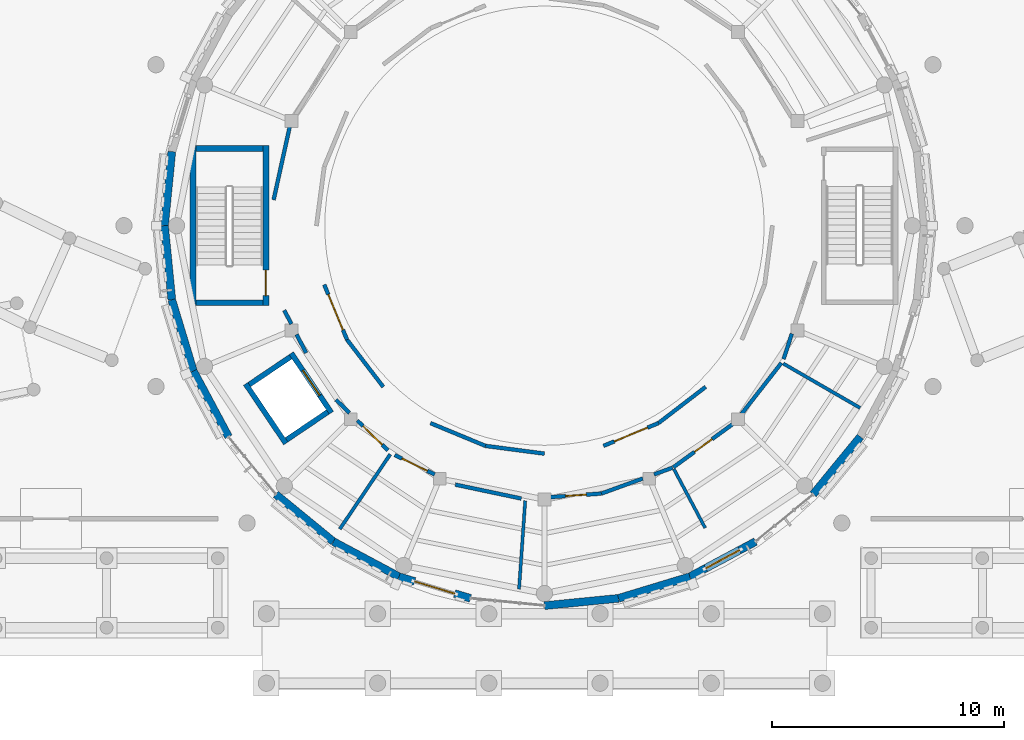
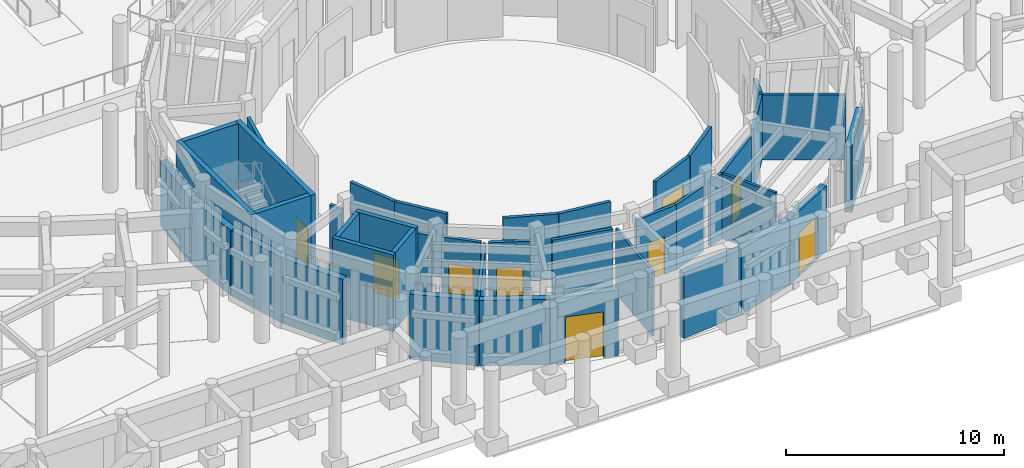
# One storey, part 48 of 94: 42 walls, 10 doors, 10 openings.
"""IFC4 building model written with IfcOpenShell, lengths in metres."""

from ifc_helpers import new_model, si_unit, direction, frame, frame_2d, origin, place, context, subcontext, project, spatial, rectangle, extrude, material, layer, layer_set, type_object, element, fill, save


model = new_model("IFC4")

# Units and contexts
model_context = context("Model", 3, precision=1e-05, world=origin(), true_north=direction((0.0, 1.0)))
body_context = subcontext(model_context, "Body", "Model", "MODEL_VIEW")
ifc_project = project(units=[si_unit("LENGTHUNIT", "METRE"), si_unit("AREAUNIT", "SQUARE_METRE"), si_unit("VOLUMEUNIT", "CUBIC_METRE"), si_unit("PLANEANGLEUNIT", "RADIAN"), si_unit("MASSUNIT", "GRAM", prefix="KILO")], contexts=[model_context])

# Site, building, storey
site_placement = place(None, origin())
site = spatial("IfcSite", under=ifc_project, at=site_placement, CompositionType="ELEMENT")
building_placement = place(site_placement, origin())
building = spatial("IfcBuilding", under=site, at=building_placement, Name="Aldenvaro Health Centre", CompositionType="ELEMENT")
storey_placement = place(building_placement, origin())
storey = spatial("IfcBuildingStorey", under=building, at=storey_placement, Name="L00", CompositionType="ELEMENT", Elevation=0.0)

# Walls
ifc_material_1 = material(Name="Gypsum Stud Acoustic Assembly")
ifc_layer_1 = layer(ifc_material_1, 0.14501953125, Name="Gypsum Stud Acoustic Assembly")
ifc_layer_set_1 = layer_set([ifc_layer_1], Name="Gypsum Stud Acoustic Assembly")
wall_type_1 = type_object("IfcWallType", Name="WL-CLN-145", PredefinedType="PARTITIONING", material=ifc_layer_set_1)
wall_1_placement = place(storey_placement, frame((80.343994140625, 10.132080078125, 0.0), z_axis=(0.0, 0.0, 1.0), x_axis=(-0.559255053263, -0.828995648601, 0.0)))
element("IfcWall", 1, at=wall_1_placement, inside=storey, type_object=wall_type_1, Name="D1 L00 clinical partition 6.1", PredefinedType="PARTITIONING", context=body_context, shape_type="SweptSolid", body=[
    extrude(rectangle(XDim=3.88916015625, YDim=0.14501953125, at=frame_2d((1.944580078125, 0.0))), origin(), (0.0, 0.0, 1.0), 3.634033203125),
])
wall_2_placement = place(storey_placement, frame((97.30810546875, 14.048095703125, 0.0), z_axis=(0.0, 0.0, 1.0), x_axis=(0.866068787954, -0.499924848885, 0.0)))
element("IfcWall", 2, at=wall_2_placement, inside=storey, type_object=wall_type_1, Name="D1 L00 clinical partition 9.1", PredefinedType="PARTITIONING", context=body_context, shape_type="SweptSolid", body=[
    extrude(rectangle(XDim=3.82861328125, YDim=0.14501953125, at=frame_2d((1.914306640625, 0.0))), origin(), (0.0, 0.0, 1.0), 3.634033203125),
])

# Wall, opening, door
ifc_layer_2 = layer(ifc_material_1, 0.1650390625, Name="Gypsum Stud Acoustic Assembly")
ifc_layer_set_2 = layer_set([ifc_layer_2], Name="Gypsum Stud Acoustic Assembly")
wall_type_2 = type_object("IfcWallType", Name="WL-COR-165", PredefinedType="PARTITIONING", material=ifc_layer_set_2)
wall_3_placement = place(storey_placement, frame((77.4951171875, 17.452880859375, 0.0), z_axis=(0.0, 0.0, 1.0), x_axis=(0.382704397106, -0.923870848353, 0.0)))
wall_3 = element("IfcWall", 3, at=wall_3_placement, inside=storey, type_object=wall_type_2, Name="Waiting Hall Ring Wall 14", PredefinedType="PARTITIONING", context=body_context, shape_type="SweptSolid", body=[
    extrude(rectangle(XDim=2.568359375, YDim=0.1650390625, at=frame_2d((1.2841796875, 0.0))), origin(), (0.0, 0.0, 1.0), 3.634033203125),
])
opening_1_placement = place(wall_3_placement, frame((0.458984375, 0.0, 0.0)))
opening_1 = element("IfcOpeningElement", 4, at=opening_1_placement, cuts=wall_3, Name="Opening RD-01", PredefinedType="OPENING", context=body_context, shape_type="SweptSolid", body=[
    extrude(rectangle(XDim=1.64990234375, YDim=2.39990234375, at=frame_2d((0.824951171875, 1.199951171875))), frame((0.0, 0.092529296875, 0.0), z_axis=(0.0, -1.0, 0.0), x_axis=(1.0, 0.0, 0.0)), (0.0, 0.0, 1.0), 0.18505859375),
])
ifc_material_2 = material(Name="Glazed Rotunda Concourse Portal")
door_type_1 = type_object("IfcDoorType", Name="DR-ROT-165", OperationType="NOTDEFINED", PredefinedType="DOOR", material=ifc_material_2)
door_1_placement = place(opening_1_placement, origin())
door_1 = element("IfcDoor", 5, at=door_1_placement, inside=storey, type_object=door_type_1, Name="Main Waiting Hall Concourse Door 14", OperationType="SINGLE_SWING_RIGHT", OverallHeight=2.39990234375, OverallWidth=1.64990234375, PredefinedType="DOOR", context=body_context, shape_type="SweptSolid", body=[
    extrude(rectangle(XDim=1.64990234375, YDim=2.39990234375, at=frame_2d((0.824951171875, 1.199951171875))), frame((0.0, 0.02490234375, 0.0), z_axis=(0.0, -1.0, 0.0), x_axis=(1.0, 0.0, 0.0)), (0.0, 0.0, 1.0), 0.050048828125),
])
fill(opening_1, door_1)

# Walls
wall_4_placement = place(storey_placement, frame((78.47802734375, 15.080078125, 0.0), z_axis=(0.0, 0.0, 1.0), x_axis=(0.608782621434, -0.793337078322, 0.0)))
element("IfcWall", 6, at=wall_4_placement, inside=storey, type_object=wall_type_2, Name="Waiting Hall Ring Wall 15", PredefinedType="PARTITIONING", context=body_context, shape_type="SweptSolid", body=[
    extrude(rectangle(XDim=2.569091796875, YDim=0.1650390625, at=frame_2d((1.28466796875, 0.0))), origin(), (0.0, 0.0, 1.0), 3.634033203125),
])
wall_5_placement = place(storey_placement, frame((82.080078125, 11.47802734375, 0.0), z_axis=(0.0, 0.0, 1.0), x_axis=(0.923870848353, -0.382704397106, 0.0)))
element("IfcWall", 7, at=wall_5_placement, inside=storey, type_object=wall_type_2, Name="Waiting Hall Ring Wall 17", PredefinedType="PARTITIONING", context=body_context, shape_type="SweptSolid", body=[
    extrude(rectangle(XDim=2.568359375, YDim=0.1650390625, at=frame_2d((1.2841796875, 0.0))), origin(), (0.0, 0.0, 1.0), 3.634033203125),
])
wall_6_placement = place(storey_placement, frame((84.452880859375, 10.4951171875, 0.0), z_axis=(0.0, 0.0, 1.0), x_axis=(0.991451384224, -0.130476636685, 0.0)))
element("IfcWall", 8, at=wall_6_placement, inside=storey, type_object=wall_type_2, Name="Waiting Hall Ring Wall 18", PredefinedType="PARTITIONING", context=body_context, shape_type="SweptSolid", body=[
    extrude(rectangle(XDim=2.569091796875, YDim=0.1650390625, at=frame_2d((1.28466796875, 0.0))), origin(), (0.0, 0.0, 1.0), 3.634033203125),
])

# Wall, opening, door
wall_7_placement = place(storey_placement, frame((89.547119140625, 10.4951171875, 0.0), z_axis=(0.0, 0.0, 1.0), x_axis=(0.923870848353, 0.382704397106, 0.0)))
wall_7 = element("IfcWall", 9, at=wall_7_placement, inside=storey, type_object=wall_type_2, Name="Waiting Hall Ring Wall 20", PredefinedType="PARTITIONING", context=body_context, shape_type="SweptSolid", body=[
    extrude(rectangle(XDim=2.568359375, YDim=0.1650390625, at=frame_2d((1.2841796875, 0.0))), origin(), (0.0, 0.0, 1.0), 3.634033203125),
])
opening_2_placement = place(wall_7_placement, frame((0.509033203125, 0.0, 0.0)))
opening_2 = element("IfcOpeningElement", 10, at=opening_2_placement, cuts=wall_7, Name="Opening RD-02", PredefinedType="OPENING", context=body_context, shape_type="SweptSolid", body=[
    extrude(rectangle(XDim=1.550048828125, YDim=2.35009765625, at=frame_2d((0.77490234375, 1.175048828125))), frame((0.0, 0.092529296875, 0.0), z_axis=(0.0, -1.0, 0.0), x_axis=(1.0, 0.0, 0.0)), (0.0, 0.0, 1.0), 0.18505859375),
])
ifc_material_3 = material(Name="Glazed Waiting Hall Portal")
door_type_2 = type_object("IfcDoorType", Name="DR-ROT-155", OperationType="NOTDEFINED", PredefinedType="DOOR", material=ifc_material_3)
door_2_placement = place(opening_2_placement, origin())
door_2 = element("IfcDoor", 11, at=door_2_placement, inside=storey, type_object=door_type_2, Name="Main Waiting Hall Concourse Door 20", OperationType="SINGLE_SWING_LEFT", OverallHeight=2.35009765625, OverallWidth=1.550048828125, PredefinedType="DOOR", context=body_context, shape_type="SweptSolid", body=[
    extrude(rectangle(XDim=1.550048828125, YDim=2.35009765625, at=frame_2d((0.77490234375, 1.175048828125))), frame((0.0, 0.02490234375, 0.0), z_axis=(0.0, -1.0, 0.0), x_axis=(1.0, 0.0, 0.0)), (0.0, 0.0, 1.0), 0.050048828125),
])
fill(opening_2, door_2)

# Walls
wall_8_placement = place(storey_placement, frame((91.919921875, 11.47802734375, 0.0), z_axis=(0.0, 0.0, 1.0), x_axis=(0.793337078322, 0.608782621434, 0.0)))
element("IfcWall", 12, at=wall_8_placement, inside=storey, type_object=wall_type_2, Name="Waiting Hall Ring Wall 21", PredefinedType="PARTITIONING", context=body_context, shape_type="SweptSolid", body=[
    extrude(rectangle(XDim=2.569091796875, YDim=0.1650390625, at=frame_2d((1.28466796875, 0.0))), origin(), (0.0, 0.0, 1.0), 3.634033203125),
])
wall_9_placement = place(storey_placement, frame((76.001953125, 24.25390625, 0.0), z_axis=(0.0, 0.0, 1.0), x_axis=(-0.215002164485, -0.976613572129, 0.0)))
element("IfcWall", 13, at=wall_9_placement, inside=storey, type_object=wall_type_2, Name="D1 L00 corridor wall 04.2", PredefinedType="PARTITIONING", context=body_context, shape_type="SweptSolid", body=[
    extrude(rectangle(XDim=3.218017578125, YDim=0.1650390625, at=frame_2d((1.60888671875, 0.0))), origin(), (0.0, 0.0, 1.0), 3.634033203125),
])
wall_10_placement = place(storey_placement, frame((75.77099609375, 16.35009765625, 0.0), z_axis=(0.0, 0.0, 1.0), x_axis=(0.454968944113, -0.890507304795, 0.0)))
element("IfcWall", 14, at=wall_10_placement, inside=storey, type_object=wall_type_2, Name="D1 L00 corridor wall 05.1", PredefinedType="PARTITIONING", context=body_context, shape_type="SweptSolid", body=[
    extrude(rectangle(XDim=0.666015625, YDim=0.1650390625, at=frame_2d((0.3330078125, 0.0))), origin(), (0.0, 0.0, 1.0), 3.634033203125),
])
wall_11_placement = place(storey_placement, frame((76.302978515625, 15.30810546875, 0.0), z_axis=(0.0, 0.0, 1.0), x_axis=(0.452964881354, -0.891528359762, 0.0)))
element("IfcWall", 15, at=wall_11_placement, inside=storey, type_object=wall_type_2, Name="D1 L00 corridor wall 05.2", PredefinedType="PARTITIONING", context=body_context, shape_type="SweptSolid", body=[
    extrude(rectangle(XDim=0.8984375, YDim=0.1650390625, at=frame_2d((0.44921875, 0.0))), origin(), (0.0, 0.0, 1.0), 3.634033203125),
])
wall_12_placement = place(storey_placement, frame((78.0029296875, 12.48388671875, 0.0), z_axis=(0.0, 0.0, 1.0), x_axis=(0.716344915194, -0.697746345369, 0.0)))
element("IfcWall", 16, at=wall_12_placement, inside=storey, type_object=wall_type_2, Name="D1 L00 corridor wall 05.3", PredefinedType="PARTITIONING", context=body_context, shape_type="SweptSolid", body=[
    extrude(rectangle(XDim=0.81396484375, YDim=0.1650390625, at=frame_2d((0.406982421875, 0.0))), origin(), (0.0, 0.0, 1.0), 3.634033203125),
])

# Wall, opening, door
wall_13_placement = place(storey_placement, frame((78.9169921875, 11.593017578125, 0.0), z_axis=(0.0, 0.0, 1.0), x_axis=(0.716782843261, -0.697296461777, 0.0)))
wall_13 = element("IfcWall", 17, at=wall_13_placement, inside=storey, type_object=wall_type_2, Name="D1 L00 corridor wall 05.4", PredefinedType="PARTITIONING", context=body_context, shape_type="SweptSolid", body=[
    extrude(rectangle(XDim=1.854248046875, YDim=0.1650390625, at=frame_2d((0.92724609375, 0.0))), origin(), (0.0, 0.0, 1.0), 3.634033203125),
])
opening_3_placement = place(wall_13_placement, frame((0.346923828125, 0.0, 0.0)))
opening_3 = element("IfcOpeningElement", 18, at=opening_3_placement, cuts=wall_13, Name="Opening D-07", PredefinedType="OPENING", context=body_context, shape_type="SweptSolid", body=[
    extrude(rectangle(XDim=1.159912109375, YDim=2.179931640625, at=frame_2d((0.580078125, 1.08984375))), frame((0.0, 0.092529296875, 0.0), z_axis=(0.0, -1.0, 0.0), x_axis=(1.0, 0.0, 0.0)), (0.0, 0.0, 1.0), 0.18505859375),
])
ifc_material_4 = material(Name="Bariatric Consulting Timber Door", Category="wood")
door_type_3 = type_object("IfcDoorType", Name="DR-CLN-07", OperationType="NOTDEFINED", PredefinedType="DOOR", material=ifc_material_4)
door_3_placement = place(opening_3_placement, origin())
door_3 = element("IfcDoor", 19, at=door_3_placement, inside=storey, type_object=door_type_3, Name="Community Cafe and Nourishment Lounge Door", OperationType="SINGLE_SWING_RIGHT", OverallHeight=2.179931640625, OverallWidth=1.159912109375, PredefinedType="DOOR", context=body_context, shape_type="SweptSolid", body=[
    extrude(rectangle(XDim=1.159912109375, YDim=2.179931640625, at=frame_2d((0.580078125, 1.08984375))), frame((0.0, 0.02490234375, 0.0), z_axis=(0.0, -1.0, 0.0), x_axis=(1.0, 0.0, 0.0)), (0.0, 0.0, 1.0), 0.050048828125),
])
fill(opening_3, door_3)

wall_14_placement = place(storey_placement, frame((80.535888671875, 10.10400390625, 0.0), z_axis=(0.0, 0.0, 1.0), x_axis=(0.898155885725, -0.4396771599, 0.0)))
wall_14 = element("IfcWall", 20, at=wall_14_placement, inside=storey, type_object=wall_type_2, Name="D1 L00 corridor wall 06.1", PredefinedType="PARTITIONING", context=body_context, shape_type="SweptSolid", body=[
    extrude(rectangle(XDim=1.921875, YDim=0.1650390625, at=frame_2d((0.9609375, 0.0))), origin(), (0.0, 0.0, 1.0), 3.634033203125),
])
opening_4_placement = place(wall_14_placement, frame((0.35107421875, 0.0, 0.0)))
opening_4 = element("IfcOpeningElement", 21, at=opening_4_placement, cuts=wall_14, Name="Opening D-08", PredefinedType="OPENING", context=body_context, shape_type="SweptSolid", body=[
    extrude(rectangle(XDim=1.219970703125, YDim=2.179931640625, at=frame_2d((0.60986328125, 1.08984375))), frame((0.0, 0.092529296875, 0.0), z_axis=(0.0, -1.0, 0.0), x_axis=(1.0, 0.0, 0.0)), (0.0, 0.0, 1.0), 0.18505859375),
])
ifc_material_5 = material(Name="Procedure Suite Timber Door", Category="wood")
door_type_4 = type_object("IfcDoorType", Name="DR-CLN-08", OperationType="NOTDEFINED", PredefinedType="DOOR", material=ifc_material_5)
door_4_placement = place(opening_4_placement, origin())
door_4 = element("IfcDoor", 22, at=door_4_placement, inside=storey, type_object=door_type_4, Name="Wheelchair and Mobility Aid Alcove Door", OperationType="SINGLE_SWING_LEFT", OverallHeight=2.179931640625, OverallWidth=1.219970703125, PredefinedType="DOOR", context=body_context, shape_type="SweptSolid", body=[
    extrude(rectangle(XDim=1.219970703125, YDim=2.179931640625, at=frame_2d((0.60986328125, 1.08984375))), frame((0.0, 0.02490234375, 0.0), z_axis=(0.0, -1.0, 0.0), x_axis=(1.0, 0.0, 0.0)), (0.0, 0.0, 1.0), 0.050048828125),
])
fill(opening_4, door_4)

# Wall
wall_15_placement = place(storey_placement, frame((83.152099609375, 8.823974609375, 0.0), z_axis=(0.0, 0.0, 1.0), x_axis=(0.978391146113, -0.206762581739, 0.0)))
element("IfcWall", 23, at=wall_15_placement, inside=storey, type_object=wall_type_2, Name="D1 L00 corridor wall 06.2", PredefinedType="PARTITIONING", context=body_context, shape_type="SweptSolid", body=[
    extrude(rectangle(XDim=2.911865234375, YDim=0.1650390625, at=frame_2d((1.4560546875, 0.0))), origin(), (0.0, 0.0, 1.0), 3.634033203125),
])

# Wall, opening, door
wall_16_placement = place(storey_placement, frame((87.260009765625, 8.282958984375, 0.0), z_axis=(0.0, 0.0, 1.0), x_axis=(0.997521857639, 0.070357256426, 0.0)))
wall_16 = element("IfcWall", 24, at=wall_16_placement, inside=storey, type_object=wall_type_2, Name="D1 L00 corridor wall 07.1", PredefinedType="PARTITIONING", context=body_context, shape_type="SweptSolid", body=[
    extrude(rectangle(XDim=2.203369140625, YDim=0.1650390625, at=frame_2d((1.1015625, 0.0))), origin(), (0.0, 0.0, 1.0), 3.634033203125),
])
opening_5_placement = place(wall_16_placement, frame((0.65087890625, 0.0, 0.0)))
opening_5 = element("IfcOpeningElement", 25, at=opening_5_placement, cuts=wall_16, Name="Opening WD-01", PredefinedType="OPENING", context=body_context, shape_type="SweptSolid", body=[
    extrude(rectangle(XDim=0.89990234375, YDim=2.10009765625, at=frame_2d((0.449951171875, 1.050048828125))), frame((0.0, 0.092529296875, 0.0), z_axis=(0.0, -1.0, 0.0), x_axis=(1.0, 0.0, 0.0)), (0.0, 0.0, 1.0), 0.18505859375),
])
ifc_material_6 = material(Name="Moisture-Resistant Laminate Door")
door_type_5 = type_object("IfcDoorType", Name="DR-WC-01", OperationType="NOTDEFINED", PredefinedType="DOOR", material=ifc_material_6)
door_5_placement = place(opening_5_placement, origin())
door_5 = element("IfcDoor", 26, at=door_5_placement, inside=storey, type_object=door_type_5, Name="Male Public WC Door", OperationType="SINGLE_SWING_RIGHT", OverallHeight=2.10009765625, OverallWidth=0.89990234375, PredefinedType="DOOR", context=body_context, shape_type="SweptSolid", body=[
    extrude(rectangle(XDim=0.89990234375, YDim=2.10009765625, at=frame_2d((0.449951171875, 1.050048828125))), frame((0.0, 0.02490234375, 0.0), z_axis=(0.0, -1.0, 0.0), x_axis=(1.0, 0.0, 0.0)), (0.0, 0.0, 1.0), 0.050048828125),
])
fill(opening_5, door_5)

# Walls
wall_17_placement = place(storey_placement, frame((89.4580078125, 8.43798828125, 0.0), z_axis=(0.0, 0.0, 1.0), x_axis=(0.939815940842, 0.341681134011, 0.0)))
element("IfcWall", 27, at=wall_17_placement, inside=storey, type_object=wall_type_2, Name="D1 L00 corridor wall 07.2", PredefinedType="PARTITIONING", context=body_context, shape_type="SweptSolid", body=[
    extrude(rectangle(XDim=1.899169921875, YDim=0.1650390625, at=frame_2d((0.94970703125, 0.0))), origin(), (0.0, 0.0, 1.0), 3.634033203125),
])
wall_18_placement = place(storey_placement, frame((91.73291015625, 9.264892578125, 0.0), z_axis=(0.0, 0.0, 1.0), x_axis=(0.94002714221, 0.341099650994, 0.0)))
element("IfcWall", 28, at=wall_18_placement, inside=storey, type_object=wall_type_2, Name="D1 L00 corridor wall 07.3", PredefinedType="PARTITIONING", context=body_context, shape_type="SweptSolid", body=[
    extrude(rectangle(XDim=0.853271484375, YDim=0.1650390625, at=frame_2d((0.4267578125, 0.0))), origin(), (0.0, 0.0, 1.0), 3.634033203125),
])

# Wall, opening, door
wall_19_placement = place(storey_placement, frame((92.56396484375, 9.571044921875, 0.0), z_axis=(0.0, 0.0, 1.0), x_axis=(0.808488549055, 0.58851190816, 0.0)))
wall_19 = element("IfcWall", 29, at=wall_19_placement, inside=storey, type_object=wall_type_2, Name="D1 L00 corridor wall 08.1", PredefinedType="PARTITIONING", context=body_context, shape_type="SweptSolid", body=[
    extrude(rectangle(XDim=3.19970703125, YDim=0.1650390625, at=frame_2d((1.599853515625, 0.0))), origin(), (0.0, 0.0, 1.0), 3.634033203125),
])
opening_6_placement = place(wall_19_placement, frame((1.1298828125, 0.0, 0.0)))
opening_6 = element("IfcOpeningElement", 30, at=opening_6_placement, cuts=wall_19, Name="Opening WD-02", PredefinedType="OPENING", context=body_context, shape_type="SweptSolid", body=[
    extrude(rectangle(XDim=0.93994140625, YDim=2.10009765625, at=frame_2d((0.469970703125, 1.050048828125))), frame((0.0, 0.092529296875, 0.0), z_axis=(0.0, -1.0, 0.0), x_axis=(1.0, 0.0, 0.0)), (0.0, 0.0, 1.0), 0.18505859375),
])
ifc_material_7 = material(Name="Accessible Sanitary Laminate Door")
door_type_6 = type_object("IfcDoorType", Name="DR-WC-02", OperationType="NOTDEFINED", PredefinedType="DOOR", material=ifc_material_7)
door_6_placement = place(opening_6_placement, origin())
door_6 = element("IfcDoor", 31, at=door_6_placement, inside=storey, type_object=door_type_6, Name="Female Public WC Door", OperationType="SINGLE_SWING_LEFT", OverallHeight=2.10009765625, OverallWidth=0.93994140625, PredefinedType="DOOR", context=body_context, shape_type="SweptSolid", body=[
    extrude(rectangle(XDim=0.93994140625, YDim=2.10009765625, at=frame_2d((0.469970703125, 1.050048828125))), frame((0.0, 0.02490234375, 0.0), z_axis=(0.0, -1.0, 0.0), x_axis=(1.0, 0.0, 0.0)), (0.0, 0.0, 1.0), 0.050048828125),
])
fill(opening_6, door_6)

# Walls
wall_20_placement = place(storey_placement, frame((95.509033203125, 11.8779296875, 0.0), z_axis=(0.0, 0.0, 1.0), x_axis=(0.616046360546, 0.787709896889, 0.0)))
element("IfcWall", 32, at=wall_20_placement, inside=storey, type_object=wall_type_2, Name="D1 L00 corridor wall 08.2", PredefinedType="PARTITIONING", context=body_context, shape_type="SweptSolid", body=[
    extrude(rectangle(XDim=2.790283203125, YDim=0.1650390625, at=frame_2d((1.39501953125, 0.0))), origin(), (0.0, 0.0, 1.0), 3.634033203125),
])
wall_21_placement = place(storey_placement, frame((97.322998046875, 14.242919921875, 0.0), z_axis=(0.0, 0.0, 1.0), x_axis=(0.308889116513, 0.951098056827, 0.0)))
element("IfcWall", 33, at=wall_21_placement, inside=storey, type_object=wall_type_2, Name="D1 L00 corridor wall 09.1", PredefinedType="PARTITIONING", context=body_context, shape_type="SweptSolid", body=[
    extrude(rectangle(XDim=1.149169921875, YDim=0.1650390625, at=frame_2d((0.57470703125, 0.0))), origin(), (0.0, 0.0, 1.0), 3.634033203125),
])
ifc_material_8 = material(Name="Concrete f'c 35 MPa", Category="concrete")
ifc_layer_3 = layer(ifc_material_8, 0.340087890625, Name="Concrete f'c 35 MPa", Category="concrete")
ifc_layer_set_3 = layer_set([ifc_layer_3], Name="Concrete f'c 35 MPa")
wall_type_3 = type_object("IfcWallType", Name="WL-EXT-340", PredefinedType="SOLIDWALL", material=ifc_layer_set_3)
wall_22_placement = place(storey_placement, frame((100.635986328125, 10.888916015625, 0.0), z_axis=(0.0, 0.0, 1.0), x_axis=(-0.634204896314, -0.773165020866, 0.0)))
element("IfcWall", 34, at=wall_22_placement, inside=storey, type_object=wall_type_3, Name="D1 L00 exterior wall 04", PredefinedType="SOLIDWALL", context=body_context, shape_type="SweptSolid", body=[
    extrude(rectangle(XDim=3.215087890625, YDim=0.340087890625, at=frame_2d((1.607421875, 0.0))), origin(), (0.0, 0.0, 1.0), 3.658935546875),
])

# Wall, opening, door
wall_23_placement = place(storey_placement, frame((96.111083984375, 6.364013671875, 0.0), z_axis=(0.0, 0.0, 1.0), x_axis=(-0.881835313523, -0.47155750426, 0.0)))
wall_23 = element("IfcWall", 35, at=wall_23_placement, inside=storey, type_object=wall_type_3, Name="D1 L00 exterior wall 06", PredefinedType="SOLIDWALL", context=body_context, shape_type="SweptSolid", body=[
    extrude(rectangle(XDim=3.215087890625, YDim=0.340087890625, at=frame_2d((1.607421875, 0.0))), origin(), (0.0, 0.0, 1.0), 3.658935546875),
])
opening_7_placement = place(wall_23_placement, frame((0.781982421875, 0.0, 0.0)))
opening_7 = element("IfcOpeningElement", 36, at=opening_7_placement, cuts=wall_23, Name="Opening ED-02", PredefinedType="OPENING", context=body_context, shape_type="SweptSolid", body=[
    extrude(rectangle(XDim=1.64990234375, YDim=2.449951171875, at=frame_2d((0.824951171875, 1.22509765625))), frame((0.0, 0.18017578125, 0.0), z_axis=(0.0, -1.0, 0.0), x_axis=(1.0, 0.0, 0.0)), (0.0, 0.0, 1.0), 0.360107421875),
])
ifc_material_9 = material(Name="Thermally Broken Glazed Aluminium", Category="aluminium")
door_type_7 = type_object("IfcDoorType", Name="DR-ENT-175", OperationType="NOTDEFINED", PredefinedType="DOOR", material=ifc_material_9)
door_7_placement = place(opening_7_placement, origin())
door_7 = element("IfcDoor", 37, at=door_7_placement, inside=storey, type_object=door_type_7, Name="Pedestrian Final Exit Door 02", OperationType="SINGLE_SWING_RIGHT", OverallHeight=2.449951171875, OverallWidth=1.64990234375, PredefinedType="DOOR", context=body_context, shape_type="SweptSolid", body=[
    extrude(rectangle(XDim=1.64990234375, YDim=2.449951171875, at=frame_2d((0.824951171875, 1.22509765625))), frame((0.0, 0.02490234375, 0.0), z_axis=(0.0, -1.0, 0.0), x_axis=(1.0, 0.0, 0.0)), (0.0, 0.0, 1.0), 0.050048828125),
])
fill(opening_7, door_7)

# Walls
wall_24_placement = place(storey_placement, frame((93.27587890625, 4.847900390625, 0.0), z_axis=(0.0, 0.0, 1.0), x_axis=(-0.956984161567, -0.29014016356, 0.0)))
element("IfcWall", 38, at=wall_24_placement, inside=storey, type_object=wall_type_3, Name="D1 L00 exterior wall 07", PredefinedType="SOLIDWALL", context=body_context, shape_type="SweptSolid", body=[
    extrude(rectangle(XDim=3.215087890625, YDim=0.340087890625, at=frame_2d((1.607421875, 0.0))), origin(), (0.0, 0.0, 1.0), 3.658935546875),
])
wall_25_placement = place(storey_placement, frame((90.198974609375, 3.9150390625, 0.0), z_axis=(0.0, 0.0, 1.0), x_axis=(-0.995188673637, -0.097977057849, 0.0)))
element("IfcWall", 39, at=wall_25_placement, inside=storey, type_object=wall_type_3, Name="D1 L00 exterior wall 08", PredefinedType="SOLIDWALL", context=body_context, shape_type="SweptSolid", body=[
    extrude(rectangle(XDim=3.21435546875, YDim=0.340087890625, at=frame_2d((1.607177734375, 0.0))), origin(), (0.0, 0.0, 1.0), 3.658935546875),
])

# Wall, opening, door
wall_26_placement = place(storey_placement, frame((83.801025390625, 3.9150390625, 0.0), z_axis=(0.0, 0.0, 1.0), x_axis=(-0.956984161567, 0.29014016356, 0.0)))
wall_26 = element("IfcWall", 40, at=wall_26_placement, inside=storey, type_object=wall_type_3, Name="D1 L00 exterior wall 10", PredefinedType="SOLIDWALL", context=body_context, shape_type="SweptSolid", body=[
    extrude(rectangle(XDim=3.215087890625, YDim=0.340087890625, at=frame_2d((1.607421875, 0.0))), origin(), (0.0, 0.0, 1.0), 3.658935546875),
])
opening_8_placement = place(wall_26_placement, frame((0.7080078125, 0.0, 0.0)))
opening_8 = element("IfcOpeningElement", 41, at=opening_8_placement, cuts=wall_26, Name="Opening ED-01", PredefinedType="OPENING", context=body_context, shape_type="SweptSolid", body=[
    extrude(rectangle(XDim=1.800048828125, YDim=2.550048828125, at=frame_2d((0.89990234375, 1.27490234375))), frame((0.0, 0.18017578125, 0.0), z_axis=(0.0, -1.0, 0.0), x_axis=(1.0, 0.0, 0.0)), (0.0, 0.0, 1.0), 0.360107421875),
])
door_type_8 = type_object("IfcDoorType", Name="DR-ENT-200", OperationType="NOTDEFINED", PredefinedType="DOOR", material=ifc_material_9)
door_8_placement = place(opening_8_placement, origin())
door_8 = element("IfcDoor", 42, at=door_8_placement, inside=storey, type_object=door_type_8, Name="Pedestrian Final Exit Door 03", OperationType="SINGLE_SWING_LEFT", OverallHeight=2.550048828125, OverallWidth=1.800048828125, PredefinedType="DOOR", context=body_context, shape_type="SweptSolid", body=[
    extrude(rectangle(XDim=1.800048828125, YDim=2.550048828125, at=frame_2d((0.89990234375, 1.27490234375))), frame((0.0, 0.02490234375, 0.0), z_axis=(0.0, -1.0, 0.0), x_axis=(1.0, 0.0, 0.0)), (0.0, 0.0, 1.0), 0.050048828125),
])
fill(opening_8, door_8)

# Walls
for number, where, z_axis, x_axis, name in (
    (43, (80.72412109375, 4.847900390625, 0.0), (0.0, 0.0, 1.0), (-0.881835313523, 0.47155750426, 0.0), "D1 L00 exterior wall 11"),
    (44, (77.888916015625, 6.364013671875, 0.0), (0.0, 0.0, 1.0), (-0.773165020866, 0.634204896314, 0.0), "D1 L00 exterior wall 12"),
    (45, (73.364013671875, 10.888916015625, 0.0), (0.0, 0.0, 1.0), (-0.47155750426, 0.881835313523, 0.0), "D1 L00 exterior wall 14"),
    (46, (71.847900390625, 13.72412109375, 0.0), (0.0, 0.0, 1.0), (-0.29014016356, 0.956984161567, 0.0), "D1 L00 exterior wall 15"),
):
    element("IfcWall", number, at=place(storey_placement, frame(where, z_axis=z_axis, x_axis=x_axis)), inside=storey, type_object=wall_type_3, Name=name, PredefinedType="SOLIDWALL", context=body_context, shape_type="SweptSolid", body=[
        extrude(rectangle(XDim=3.215087890625, YDim=0.340087890625, at=frame_2d((1.607421875, 0.0))), origin(), (0.0, 0.0, 1.0), 3.658935546875),
    ])
for number, where, z_axis, x_axis, name in (
    (47, (70.9150390625, 16.801025390625, 0.0), (0.0, 0.0, 1.0), (-0.097977057849, 0.995188673637, 0.0), "D1 L00 exterior wall 16"),
    (48, (70.60009765625, 20.0, 0.0), (0.0, 0.0, 1.0), (0.097977057849, 0.995188673637, 0.0), "D1 L00 exterior wall 17"),
):
    element("IfcWall", number, at=place(storey_placement, frame(where, z_axis=z_axis, x_axis=x_axis)), inside=storey, type_object=wall_type_3, Name=name, PredefinedType="SOLIDWALL", context=body_context, shape_type="SweptSolid", body=[
        extrude(rectangle(XDim=3.21435546875, YDim=0.340087890625, at=frame_2d((1.607177734375, 0.0))), origin(), (0.0, 0.0, 1.0), 3.658935546875),
    ])

# Wall, opening, door
ifc_material_10 = material(Name="Concrete f'c 40 MPa", Category="concrete")
ifc_layer_4 = layer(ifc_material_10, 0.22509765625, Name="Concrete f'c 40 MPa", Category="concrete")
ifc_layer_set_4 = layer_set([ifc_layer_4], Name="Concrete f'c 40 MPa")
wall_type_4 = type_object("IfcWallType", Name="WL-SHAFT-225", PredefinedType="SHEAR", material=ifc_layer_set_4)
wall_27_placement = place(storey_placement, frame((77.803955078125, 11.927978515625, 0.0), z_axis=(0.0, 0.0, 1.0), x_axis=(-0.559054792443, 0.829130712883, 0.0)))
wall_27 = element("IfcWall", 49, at=wall_27_placement, inside=storey, type_object=wall_type_4, Name="LF-01 L00 lift shaft front wall", PredefinedType="SHEAR", context=body_context, shape_type="SweptSolid", body=[
    extrude(rectangle(XDim=3.099609375, YDim=0.22509765625, at=frame_2d((1.5498046875, 0.0))), origin(), (0.0, 0.0, 1.0), 4.304931640625),
])
opening_9_placement = place(wall_27_placement, frame((0.89990234375, 0.0, 0.0)))
opening_9 = element("IfcOpeningElement", 50, at=opening_9_placement, cuts=wall_27, Name="Opening LD-02", PredefinedType="OPENING", context=body_context, shape_type="SweptSolid", body=[
    extrude(rectangle(XDim=1.300048828125, YDim=2.199951171875, at=frame_2d((0.64990234375, 1.10009765625))), frame((0.0, 0.12255859375, 0.0), z_axis=(0.0, -1.0, 0.0), x_axis=(1.0, 0.0, 0.0)), (0.0, 0.0, 1.0), 0.2451171875),
])
ifc_material_11 = material(Name="Stainless Steel Stretcher Landing Door", Category="steel")
door_type_9 = type_object("IfcDoorType", Name="DR-LIFT-130", OperationType="DOUBLE_DOOR_SLIDING", PredefinedType="DOOR", material=ifc_material_11)
door_9_placement = place(opening_9_placement, origin())
door_9 = element("IfcDoor", 51, at=door_9_placement, inside=storey, type_object=door_type_9, Name="Lift LF-01 L00 Sliding Landing Door", OperationType="DOUBLE_DOOR_SLIDING", OverallHeight=2.199951171875, OverallWidth=1.300048828125, PredefinedType="DOOR", context=body_context, shape_type="SweptSolid", body=[
    extrude(rectangle(XDim=1.300048828125, YDim=2.199951171875, at=frame_2d((0.64990234375, 1.10009765625))), frame((0.0, 0.02490234375, 0.0), z_axis=(0.0, -1.0, 0.0), x_axis=(1.0, 0.0, 0.0)), (0.0, 0.0, 1.0), 0.050048828125),
])
fill(opening_9, door_9)

# Walls
wall_28_placement = place(storey_placement, frame((75.8349609375, 10.60009765625, 0.0), z_axis=(0.0, 0.0, 1.0), x_axis=(-0.559091302934, 0.829106093925, 0.0)))
element("IfcWall", 52, at=wall_28_placement, inside=storey, type_object=wall_type_4, Name="LF-01 L00 lift shaft rear wall", PredefinedType="SHEAR", context=body_context, shape_type="SweptSolid", body=[
    extrude(rectangle(XDim=3.099609375, YDim=0.22509765625, at=frame_2d((1.5498046875, 0.0))), origin(), (0.0, 0.0, 1.0), 4.304931640625),
])
wall_29_placement = place(storey_placement, frame((77.64794921875, 11.9580078125, 0.0), z_axis=(0.0, 0.0, 1.0), x_axis=(-0.829050086962, -0.559174349652, 0.0)))
element("IfcWall", 53, at=wall_29_placement, inside=storey, type_object=wall_type_4, Name="LF-01 L00 lift shaft side wall L", PredefinedType="SHEAR", context=body_context, shape_type="SweptSolid", body=[
    extrude(rectangle(XDim=2.1494140625, YDim=0.22509765625, at=frame_2d((1.07470703125, 0.0))), origin(), (0.0, 0.0, 1.0), 4.304931640625),
])
wall_30_placement = place(storey_placement, frame((76.0400390625, 14.342041015625, 0.0), z_axis=(0.0, 0.0, 1.0), x_axis=(-0.828997430928, -0.559252411274, 0.0)))
element("IfcWall", 54, at=wall_30_placement, inside=storey, type_object=wall_type_4, Name="LF-01 L00 lift shaft side wall R", PredefinedType="SHEAR", context=body_context, shape_type="SweptSolid", body=[
    extrude(rectangle(XDim=2.149658203125, YDim=0.22509765625, at=frame_2d((1.07470703125, 0.0))), origin(), (0.0, 0.0, 1.0), 4.304931640625),
])

# Wall, opening, door
ifc_layer_5 = layer(ifc_material_10, 0.25, Name="Concrete f'c 40 MPa", Category="concrete")
ifc_layer_set_5 = layer_set([ifc_layer_5], Name="Concrete f'c 40 MPa")
wall_type_5 = type_object("IfcWallType", Name="WL-SHAFT-250", PredefinedType="SHEAR", material=ifc_layer_set_5)
wall_31_placement = place(storey_placement, frame((74.97509765625, 16.550048828125, 0.0), z_axis=(0.0, 0.0, 1.0), x_axis=(0.0, 1.0, 0.0)))
wall_31 = element("IfcWall", 55, at=wall_31_placement, inside=storey, type_object=wall_type_5, Name="ST-01 L00 inner core wall", PredefinedType="SHEAR", context=body_context, shape_type="SweptSolid", body=[
    extrude(rectangle(XDim=6.89990234375, YDim=0.25, at=frame_2d((3.449951171875, 0.0))), origin(), (0.0, 0.0, 1.0), 4.304931640625),
])
opening_10_placement = place(wall_31_placement, frame((0.429931640625, 0.0, 0.0)))
opening_10 = element("IfcOpeningElement", 56, at=opening_10_placement, cuts=wall_31, Name="Opening FD-01", PredefinedType="OPENING", context=body_context, shape_type="SweptSolid", body=[
    extrude(rectangle(XDim=1.10009765625, YDim=2.14990234375, at=frame_2d((0.550048828125, 1.074951171875))), frame((0.0, 0.135009765625, 0.0), z_axis=(0.0, -1.0, 0.0), x_axis=(1.0, 0.0, 0.0)), (0.0, 0.0, 1.0), 0.27001953125),
])
ifc_material_12 = material(Name="Fire-Rated Steel Door Assembly", Category="steel")
door_type_10 = type_object("IfcDoorType", Name="DR-STAIR-110", OperationType="NOTDEFINED", PredefinedType="DOOR", material=ifc_material_12)
door_10_placement = place(opening_10_placement, origin())
door_10 = element("IfcDoor", 57, at=door_10_placement, inside=storey, type_object=door_type_10, Name="ST-01 L00 fire stair door", OperationType="SINGLE_SWING_RIGHT", OverallHeight=2.14990234375, OverallWidth=1.10009765625, PredefinedType="DOOR", context=body_context, shape_type="SweptSolid", body=[
    extrude(rectangle(XDim=1.10009765625, YDim=2.14990234375, at=frame_2d((0.550048828125, 1.074951171875))), frame((0.0, 0.02490234375, 0.0), z_axis=(0.0, -1.0, 0.0), x_axis=(1.0, 0.0, 0.0)), (0.0, 0.0, 1.0), 0.050048828125),
])
fill(opening_10, door_10)

# Walls
wall_32_placement = place(storey_placement, frame((71.824951171875, 16.550048828125, 0.0), z_axis=(0.0, 0.0, 1.0), x_axis=(0.0, 1.0, 0.0)))
element("IfcWall", 58, at=wall_32_placement, inside=storey, type_object=wall_type_5, Name="ST-01 L00 far core wall", PredefinedType="SHEAR", context=body_context, shape_type="SweptSolid", body=[
    extrude(rectangle(XDim=6.89990234375, YDim=0.25, at=frame_2d((3.449951171875, 0.0))), origin(), (0.0, 0.0, 1.0), 4.304931640625),
])
for number, where, z_axis, x_axis, name in (
    (59, (74.85009765625, 16.675048828125, 0.0), (0.0, 0.0, 1.0), (-1.0, 0.0, 0.0), "ST-01 L00 side core wall L"),
    (60, (74.85009765625, 23.324951171875, 0.0), (0.0, 0.0, 1.0), (-1.0, 0.0, 0.0), "ST-01 L00 side core wall R"),
):
    element("IfcWall", number, at=place(storey_placement, frame(where, z_axis=z_axis, x_axis=x_axis)), inside=storey, type_object=wall_type_5, Name=name, PredefinedType="SHEAR", context=body_context, shape_type="SweptSolid", body=[
        extrude(rectangle(XDim=2.900146484375, YDim=0.25, at=frame_2d((1.4501953125, 0.0))), origin(), (0.0, 0.0, 1.0), 4.304931640625),
    ])
ifc_material_13 = material(Name="Moisture-Resistant Plumbing Stud Wall")
ifc_layer_6 = layer(ifc_material_13, 0.135009765625, Name="Moisture-Resistant Plumbing Stud Wall")
ifc_layer_set_6 = layer_set([ifc_layer_6], Name="Moisture-Resistant Plumbing Stud Wall")
wall_type_6 = type_object("IfcWallType", Name="WL-WET-135", PredefinedType="PLUMBINGWALL", material=ifc_layer_set_6)
wall_33_placement = place(storey_placement, frame((86.169921875, 8.1259765625, 0.0), z_axis=(0.0, 0.0, 1.0), x_axis=(-0.069741502562, -0.997565097034, 0.0)))
element("IfcWall", 61, at=wall_33_placement, inside=storey, type_object=wall_type_6, Name="D1 L00 clinical partition 7.1", PredefinedType="PLUMBINGWALL", context=body_context, shape_type="SweptSolid", body=[
    extrude(rectangle(XDim=3.826171875, YDim=0.135009765625, at=frame_2d((1.9130859375, 0.0))), origin(), (0.0, 0.0, 1.0), 3.634033203125),
])
wall_34_placement = place(storey_placement, frame((92.587890625, 9.489990234375, 0.0), z_axis=(0.0, 0.0, 1.0), x_axis=(0.469430960331, -0.88296918037, 0.0)))
element("IfcWall", 62, at=wall_34_placement, inside=storey, type_object=wall_type_6, Name="D1 L00 clinical partition 8.1", PredefinedType="PLUMBINGWALL", context=body_context, shape_type="SweptSolid", body=[
    extrude(rectangle(XDim=2.869873046875, YDim=0.135009765625, at=frame_2d((1.43505859375, 0.0))), origin(), (0.0, 0.0, 1.0), 3.634033203125),
])

save(model, "model.ifc")
